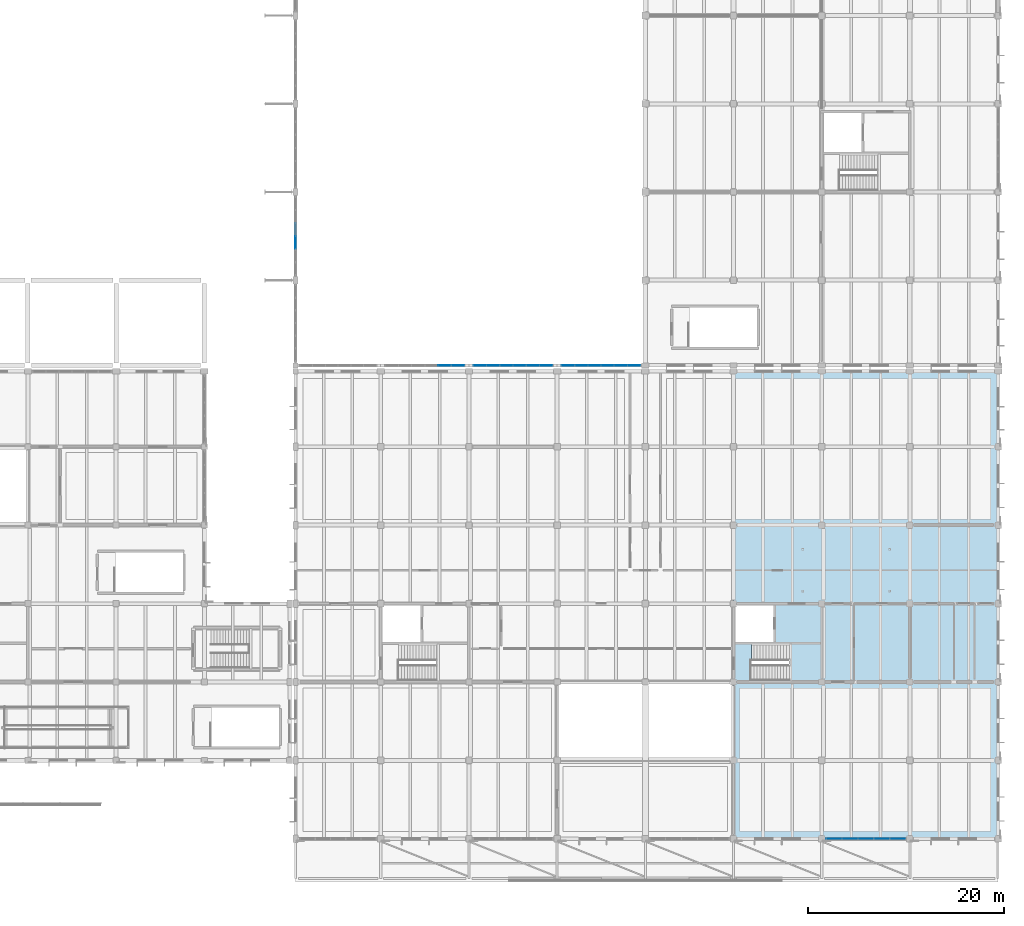
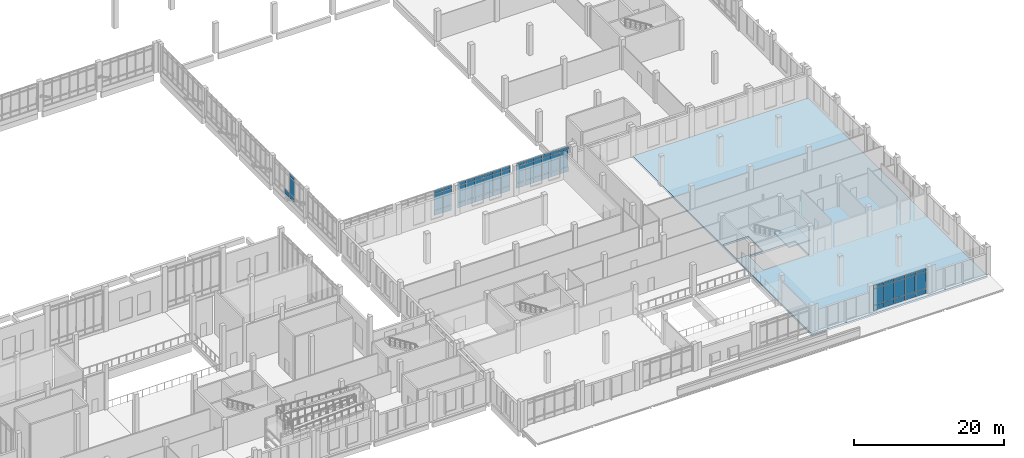
# One storey, part 64 of 110: 61 plates, 2 slabs, 6 elements without a shape of their own.
"""IFC4 building model written with IfcOpenShell, lengths in metres."""

from ifc_helpers import new_model, si_unit, direction, frame, origin, origin_2d, place, context, subcontext, project, spatial, polyline, rectangle, outline, extrude, material, layer, layer_set, type_object, element, aggregate, save


model = new_model("IFC4")

# Units and contexts
model_context = context("Model", 3, precision=1e-05, world=origin(), true_north=direction((0.0, 1.0)))
body_context = subcontext(model_context, "Body", "Model", "MODEL_VIEW")
ifc_project = project(units=[si_unit("LENGTHUNIT", "METRE"), si_unit("AREAUNIT", "SQUARE_METRE"), si_unit("VOLUMEUNIT", "CUBIC_METRE"), si_unit("PLANEANGLEUNIT", "RADIAN"), si_unit("MASSUNIT", "GRAM", prefix="KILO")], contexts=[model_context])

# Site, building, storey
site_placement = place(None, origin())
site = spatial("IfcSite", under=ifc_project, at=site_placement, CompositionType="ELEMENT")
building_placement = place(site_placement, origin())
building = spatial("IfcBuilding", under=site, at=building_placement, Name="Zacnel Wholesale Market", CompositionType="ELEMENT")
storey_placement = place(building_placement, frame((0.0, 0.0, 6.300048828125)))
storey = spatial("IfcBuildingStorey", under=building, at=storey_placement, Name="L02", CompositionType="ELEMENT", Elevation=6.300048828125)

# Curtain wall, plates
ifc_material_1 = material(Name="Anodised aluminium", Category="aluminium")
ifc_layer_1 = layer(ifc_material_1, 0.179931640625)
ifc_layer_set_1 = layer_set([ifc_layer_1], Name="Anodised aluminium")
curtain_wall_type_1 = type_object("IfcCurtainWallType", Name="CW-BLVD-5400", PredefinedType="NOTDEFINED", material=ifc_layer_set_1)
curtain_wall_1_placement = place(storey_placement, origin())
curtain_wall_1 = element("IfcCurtainWall", 1, at=curtain_wall_1_placement, inside=storey, type_object=curtain_wall_type_1, Name="Curtain wall ENV-R2-CW-L02-019", PredefinedType="NOTDEFINED")
ifc_material_2 = material(Name="Laminated hurricane-impact low-E insulated glass", Category="glass")
ifc_layer_2 = layer(ifc_material_2, 0.028076171875)
ifc_layer_set_2 = layer_set([ifc_layer_2], Name="Laminated hurricane-impact low-E insulated glass")
plate_type_1 = type_object("IfcPlateType", Name="CWP-PNL-01", PredefinedType="CURTAIN_PANEL", material=ifc_layer_set_2)
plate_1_placement = place(storey_placement, frame((199.260009765625, 0.0, 1.330078125), z_axis=(0.0, 0.0, 1.0), x_axis=(1.0, 0.0, 0.0)))
plate_1 = element("IfcPlate", 2, at=plate_1_placement, type_object=plate_type_1, Name="ENV-R2-CW-L02-019 panel 1-2", PredefinedType="CURTAIN_PANEL", context=body_context, shape_type="SweptSolid", body=[
    extrude(rectangle(XDim=1.550048828125, YDim=0.028076171875, at=origin_2d()), origin(), (0.0, 0.0, 1.0), 2.639892578125),
])
plate_2_placement = place(storey_placement, frame((200.8798828125, 0.0, 1.330078125), z_axis=(0.0, 0.0, 1.0), x_axis=(1.0, 0.0, 0.0)))
plate_2 = element("IfcPlate", 3, at=plate_2_placement, type_object=plate_type_1, Name="ENV-R2-CW-L02-019 panel 2-2", PredefinedType="CURTAIN_PANEL", context=body_context, shape_type="SweptSolid", body=[
    extrude(rectangle(XDim=1.550048828125, YDim=0.028076171875, at=origin_2d()), origin(), (0.0, 0.0, 1.0), 2.639892578125),
])
plate_3_placement = place(storey_placement, frame((202.5, 0.0, 1.330078125), z_axis=(0.0, 0.0, 1.0), x_axis=(1.0, 0.0, 0.0)))
plate_3 = element("IfcPlate", 4, at=plate_3_placement, type_object=plate_type_1, Name="ENV-R2-CW-L02-019 panel 3-2", PredefinedType="CURTAIN_PANEL", context=body_context, shape_type="SweptSolid", body=[
    extrude(rectangle(XDim=1.550048828125, YDim=0.028076171875, at=origin_2d()), origin(), (0.0, 0.0, 1.0), 2.639892578125),
])
plate_4_placement = place(storey_placement, frame((204.1201171875, 0.0, 1.330078125), z_axis=(0.0, 0.0, 1.0), x_axis=(1.0, 0.0, 0.0)))
plate_4 = element("IfcPlate", 5, at=plate_4_placement, type_object=plate_type_1, Name="ENV-R2-CW-L02-019 panel 4-2", PredefinedType="CURTAIN_PANEL", context=body_context, shape_type="SweptSolid", body=[
    extrude(rectangle(XDim=1.550048828125, YDim=0.028076171875, at=origin_2d()), origin(), (0.0, 0.0, 1.0), 2.639892578125),
])
plate_5_placement = place(storey_placement, frame((205.739990234375, 0.0, 1.330078125), z_axis=(0.0, 0.0, 1.0), x_axis=(1.0, 0.0, 0.0)))
plate_5 = element("IfcPlate", 6, at=plate_5_placement, type_object=plate_type_1, Name="ENV-R2-CW-L02-019 panel 5-2", PredefinedType="CURTAIN_PANEL", context=body_context, shape_type="SweptSolid", body=[
    extrude(rectangle(XDim=1.550048828125, YDim=0.028076171875, at=origin_2d()), origin(), (0.0, 0.0, 1.0), 2.639892578125),
])

ifc_material_3 = material(Name="Anodised aluminium", Category="aluminium")
ifc_layer_3 = layer(ifc_material_3, 0.159912109375)
ifc_layer_set_3 = layer_set([ifc_layer_3], Name="Anodised aluminium")
curtain_wall_type_2 = type_object("IfcCurtainWallType", Name="CW-NAVE-4200", PredefinedType="NOTDEFINED", material=ifc_layer_set_3)
curtain_wall_2_placement = place(storey_placement, origin())
curtain_wall_2 = element("IfcCurtainWall", 7, at=curtain_wall_2_placement, inside=storey, type_object=curtain_wall_type_2, Name="Curtain wall ENV-R2-CW-L02-038", PredefinedType="NOTDEFINED")
ifc_material_4 = material(Name="Laminated hurricane-impact low-E insulated glass", Category="glass")
ifc_layer_4 = layer(ifc_material_4, 0.031982421875)
ifc_layer_set_4 = layer_set([ifc_layer_4], Name="Laminated hurricane-impact low-E insulated glass")
plate_type_2 = type_object("IfcPlateType", Name="CWP-PNL-02", PredefinedType="CURTAIN_PANEL", material=ifc_layer_set_4)
plate_6_placement = place(storey_placement, frame((159.52490234375, 48.300048828125, 1.330078125), z_axis=(0.0, 0.0, 1.0), x_axis=(1.0, 0.0, 0.0)))
plate_6 = element("IfcPlate", 8, at=plate_6_placement, type_object=plate_type_2, Name="ENV-R2-CW-L02-038 panel 5-2", PredefinedType="CURTAIN_PANEL", context=body_context, shape_type="SweptSolid", body=[
    extrude(rectangle(XDim=1.280029296875, YDim=0.031982421875, at=origin_2d()), origin(), (0.0, 0.0, 1.0), 2.639892578125),
])
plate_7_placement = place(storey_placement, frame((160.875, 48.300048828125, 1.330078125), z_axis=(0.0, 0.0, 1.0), x_axis=(1.0, 0.0, 0.0)))
plate_7 = element("IfcPlate", 9, at=plate_7_placement, type_object=plate_type_2, Name="ENV-R2-CW-L02-038 panel 6-2", PredefinedType="CURTAIN_PANEL", context=body_context, shape_type="SweptSolid", body=[
    extrude(rectangle(XDim=1.280029296875, YDim=0.031982421875, at=origin_2d()), origin(), (0.0, 0.0, 1.0), 2.639892578125),
])

curtain_wall_3_placement = place(storey_placement, origin())
curtain_wall_3 = element("IfcCurtainWall", 10, at=curtain_wall_3_placement, inside=storey, type_object=curtain_wall_type_2, Name="Curtain wall ENV-R2-CW-L02-039", PredefinedType="NOTDEFINED")
plate_8_placement = place(storey_placement, frame((163.125, 48.300048828125, 1.330078125), z_axis=(0.0, 0.0, 1.0), x_axis=(1.0, 0.0, 0.0)))
plate_8 = element("IfcPlate", 11, at=plate_8_placement, type_object=plate_type_2, Name="ENV-R2-CW-L02-039 panel 1-2", PredefinedType="CURTAIN_PANEL", context=body_context, shape_type="SweptSolid", body=[
    extrude(rectangle(XDim=1.280029296875, YDim=0.031982421875, at=origin_2d()), origin(), (0.0, 0.0, 1.0), 2.639892578125),
])
plate_9_placement = place(storey_placement, frame((164.47509765625, 48.300048828125, 1.330078125), z_axis=(0.0, 0.0, 1.0), x_axis=(1.0, 0.0, 0.0)))
plate_9 = element("IfcPlate", 12, at=plate_9_placement, type_object=plate_type_2, Name="ENV-R2-CW-L02-039 panel 2-2", PredefinedType="CURTAIN_PANEL", context=body_context, shape_type="SweptSolid", body=[
    extrude(rectangle(XDim=1.280029296875, YDim=0.031982421875, at=origin_2d()), origin(), (0.0, 0.0, 1.0), 2.639892578125),
])
plate_10_placement = place(storey_placement, frame((165.824951171875, 48.300048828125, 1.330078125), z_axis=(0.0, 0.0, 1.0), x_axis=(1.0, 0.0, 0.0)))
plate_10 = element("IfcPlate", 13, at=plate_10_placement, type_object=plate_type_2, Name="ENV-R2-CW-L02-039 panel 3-2", PredefinedType="CURTAIN_PANEL", context=body_context, shape_type="SweptSolid", body=[
    extrude(rectangle(XDim=1.280029296875, YDim=0.031982421875, at=origin_2d()), origin(), (0.0, 0.0, 1.0), 2.639892578125),
])
plate_11_placement = place(storey_placement, frame((167.175048828125, 48.300048828125, 1.330078125), z_axis=(0.0, 0.0, 1.0), x_axis=(1.0, 0.0, 0.0)))
plate_11 = element("IfcPlate", 14, at=plate_11_placement, type_object=plate_type_2, Name="ENV-R2-CW-L02-039 panel 4-2", PredefinedType="CURTAIN_PANEL", context=body_context, shape_type="SweptSolid", body=[
    extrude(rectangle(XDim=1.280029296875, YDim=0.031982421875, at=origin_2d()), origin(), (0.0, 0.0, 1.0), 2.639892578125),
])
plate_12_placement = place(storey_placement, frame((168.52490234375, 48.300048828125, 1.330078125), z_axis=(0.0, 0.0, 1.0), x_axis=(1.0, 0.0, 0.0)))
plate_12 = element("IfcPlate", 15, at=plate_12_placement, type_object=plate_type_2, Name="ENV-R2-CW-L02-039 panel 5-2", PredefinedType="CURTAIN_PANEL", context=body_context, shape_type="SweptSolid", body=[
    extrude(rectangle(XDim=1.280029296875, YDim=0.031982421875, at=origin_2d()), origin(), (0.0, 0.0, 1.0), 2.639892578125),
])
plate_13_placement = place(storey_placement, frame((169.875, 48.300048828125, 1.330078125), z_axis=(0.0, 0.0, 1.0), x_axis=(1.0, 0.0, 0.0)))
plate_13 = element("IfcPlate", 16, at=plate_13_placement, type_object=plate_type_2, Name="ENV-R2-CW-L02-039 panel 6-2", PredefinedType="CURTAIN_PANEL", context=body_context, shape_type="SweptSolid", body=[
    extrude(rectangle(XDim=1.280029296875, YDim=0.031982421875, at=origin_2d()), origin(), (0.0, 0.0, 1.0), 2.639892578125),
])

curtain_wall_4_placement = place(storey_placement, origin())
curtain_wall_4 = element("IfcCurtainWall", 17, at=curtain_wall_4_placement, inside=storey, type_object=curtain_wall_type_2, Name="Curtain wall ENV-R2-CW-L02-040", PredefinedType="NOTDEFINED")
plate_14_placement = place(storey_placement, frame((172.121337890625, 48.300048828125, 1.330078125), z_axis=(0.0, 0.0, 1.0), x_axis=(1.0, 0.0, 0.0)))
plate_14 = element("IfcPlate", 18, at=plate_14_placement, type_object=plate_type_2, Name="ENV-R2-CW-L02-040 panel 1-2", PredefinedType="CURTAIN_PANEL", context=body_context, shape_type="SweptSolid", body=[
    extrude(rectangle(XDim=1.2724609375, YDim=0.031982421875, at=origin_2d()), origin(), (0.0, 0.0, 1.0), 2.639892578125),
])
plate_15_placement = place(storey_placement, frame((173.4638671875, 48.300048828125, 1.330078125), z_axis=(0.0, 0.0, 1.0), x_axis=(1.0, 0.0, 0.0)))
plate_15 = element("IfcPlate", 19, at=plate_15_placement, type_object=plate_type_2, Name="ENV-R2-CW-L02-040 panel 2-2", PredefinedType="CURTAIN_PANEL", context=body_context, shape_type="SweptSolid", body=[
    extrude(rectangle(XDim=1.2724609375, YDim=0.031982421875, at=origin_2d()), origin(), (0.0, 0.0, 1.0), 2.639892578125),
])
plate_16_placement = place(storey_placement, frame((174.80615234375, 48.300048828125, 1.330078125), z_axis=(0.0, 0.0, 1.0), x_axis=(1.0, 0.0, 0.0)))
plate_16 = element("IfcPlate", 20, at=plate_16_placement, type_object=plate_type_2, Name="ENV-R2-CW-L02-040 panel 3-2", PredefinedType="CURTAIN_PANEL", context=body_context, shape_type="SweptSolid", body=[
    extrude(rectangle(XDim=1.2724609375, YDim=0.031982421875, at=origin_2d()), origin(), (0.0, 0.0, 1.0), 2.639892578125),
])
plate_17_placement = place(storey_placement, frame((176.148681640625, 48.300048828125, 1.330078125), z_axis=(0.0, 0.0, 1.0), x_axis=(1.0, 0.0, 0.0)))
plate_17 = element("IfcPlate", 21, at=plate_17_placement, type_object=plate_type_2, Name="ENV-R2-CW-L02-040 panel 4-2", PredefinedType="CURTAIN_PANEL", context=body_context, shape_type="SweptSolid", body=[
    extrude(rectangle(XDim=1.2724609375, YDim=0.031982421875, at=origin_2d()), origin(), (0.0, 0.0, 1.0), 2.639892578125),
])
plate_18_placement = place(storey_placement, frame((177.4912109375, 48.300048828125, 1.330078125), z_axis=(0.0, 0.0, 1.0), x_axis=(1.0, 0.0, 0.0)))
plate_18 = element("IfcPlate", 22, at=plate_18_placement, type_object=plate_type_2, Name="ENV-R2-CW-L02-040 panel 5-2", PredefinedType="CURTAIN_PANEL", context=body_context, shape_type="SweptSolid", body=[
    extrude(rectangle(XDim=1.2724609375, YDim=0.031982421875, at=origin_2d()), origin(), (0.0, 0.0, 1.0), 2.639892578125),
])
plate_19_placement = place(storey_placement, frame((178.833740234375, 48.300048828125, 1.330078125), z_axis=(0.0, 0.0, 1.0), x_axis=(1.0, 0.0, 0.0)))
plate_19 = element("IfcPlate", 23, at=plate_19_placement, type_object=plate_type_2, Name="ENV-R2-CW-L02-040 panel 6-2", PredefinedType="CURTAIN_PANEL", context=body_context, shape_type="SweptSolid", body=[
    extrude(rectangle(XDim=1.2724609375, YDim=0.031982421875, at=origin_2d()), origin(), (0.0, 0.0, 1.0), 2.639892578125),
])

# Curtain wall, plate
curtain_wall_5_placement = place(storey_placement, origin())
curtain_wall_5 = element("IfcCurtainWall", 24, at=curtain_wall_5_placement, inside=storey, type_object=curtain_wall_type_2, Name="Curtain wall ENV-R2-CW-L02-042", PredefinedType="NOTDEFINED")
plate_20_placement = place(storey_placement, frame((144.300048828125, 60.83251953125, 1.330078125), z_axis=(0.0, 0.0, 1.0), x_axis=(0.0, 1.0, 0.0)))
plate_20 = element("IfcPlate", 25, at=plate_20_placement, type_object=plate_type_2, Name="ENV-R2-CW-L02-042 panel 3-2", PredefinedType="CURTAIN_PANEL", context=body_context, shape_type="SweptSolid", body=[
    extrude(rectangle(XDim=1.264892578125, YDim=0.031982421875, at=origin_2d()), origin(), (0.0, 0.0, 1.0), 2.639892578125),
])

# Plate
ifc_material_5 = material(Name="Anodised aluminium", Category="aluminium")
ifc_layer_5 = layer(ifc_material_5, 0.0400390625)
ifc_layer_set_5 = layer_set([ifc_layer_5], Name="Anodised aluminium")
plate_type_3 = type_object("IfcPlateType", Name="CWP-PNL-05", PredefinedType="CURTAIN_PANEL", material=ifc_layer_set_5)
plate_21_placement = place(storey_placement, frame((199.260009765625, 0.0, 0.47998046875), z_axis=(0.0, 0.0, 1.0), x_axis=(1.0, 0.0, 0.0)))
plate_21 = element("IfcPlate", 26, at=plate_21_placement, type_object=plate_type_3, Name="ENV-R2-CW-L02-019 panel 1-1", PredefinedType="CURTAIN_PANEL", context=body_context, shape_type="SweptSolid", body=[
    extrude(rectangle(XDim=1.550048828125, YDim=0.0400390625, at=origin_2d()), origin(), (0.0, 0.0, 1.0), 0.7900390625),
])

plate_22_placement = place(storey_placement, frame((199.260009765625, 0.0, 4.02978515625), z_axis=(0.0, 0.0, 1.0), x_axis=(1.0, 0.0, 0.0)))
plate_22 = element("IfcPlate", 27, at=plate_22_placement, type_object=plate_type_3, Name="ENV-R2-CW-L02-019 panel 1-3", PredefinedType="CURTAIN_PANEL", context=body_context, shape_type="SweptSolid", body=[
    extrude(rectangle(XDim=1.550048828125, YDim=0.0400390625, at=origin_2d()), origin(), (0.0, 0.0, 1.0), 0.489990234375),
])

plate_23_placement = place(storey_placement, frame((202.5, 0.0, 0.47998046875), z_axis=(0.0, 0.0, 1.0), x_axis=(1.0, 0.0, 0.0)))
plate_23 = element("IfcPlate", 28, at=plate_23_placement, type_object=plate_type_3, Name="ENV-R2-CW-L02-019 panel 3-1", PredefinedType="CURTAIN_PANEL", context=body_context, shape_type="SweptSolid", body=[
    extrude(rectangle(XDim=1.550048828125, YDim=0.0400390625, at=origin_2d()), origin(), (0.0, 0.0, 1.0), 0.7900390625),
])

plate_24_placement = place(storey_placement, frame((202.5, 0.0, 4.02978515625), z_axis=(0.0, 0.0, 1.0), x_axis=(1.0, 0.0, 0.0)))
plate_24 = element("IfcPlate", 29, at=plate_24_placement, type_object=plate_type_3, Name="ENV-R2-CW-L02-019 panel 3-3", PredefinedType="CURTAIN_PANEL", context=body_context, shape_type="SweptSolid", body=[
    extrude(rectangle(XDim=1.550048828125, YDim=0.0400390625, at=origin_2d()), origin(), (0.0, 0.0, 1.0), 0.489990234375),
])

plate_25_placement = place(storey_placement, frame((205.739990234375, 0.0, 0.47998046875), z_axis=(0.0, 0.0, 1.0), x_axis=(1.0, 0.0, 0.0)))
plate_25 = element("IfcPlate", 30, at=plate_25_placement, type_object=plate_type_3, Name="ENV-R2-CW-L02-019 panel 5-1", PredefinedType="CURTAIN_PANEL", context=body_context, shape_type="SweptSolid", body=[
    extrude(rectangle(XDim=1.550048828125, YDim=0.0400390625, at=origin_2d()), origin(), (0.0, 0.0, 1.0), 0.7900390625),
])

plate_26_placement = place(storey_placement, frame((205.739990234375, 0.0, 4.02978515625), z_axis=(0.0, 0.0, 1.0), x_axis=(1.0, 0.0, 0.0)))
plate_26 = element("IfcPlate", 31, at=plate_26_placement, type_object=plate_type_3, Name="ENV-R2-CW-L02-019 panel 5-3", PredefinedType="CURTAIN_PANEL", context=body_context, shape_type="SweptSolid", body=[
    extrude(rectangle(XDim=1.550048828125, YDim=0.0400390625, at=origin_2d()), origin(), (0.0, 0.0, 1.0), 0.489990234375),
])

plate_27_placement = place(storey_placement, frame((159.52490234375, 48.300048828125, 0.47998046875), z_axis=(0.0, 0.0, 1.0), x_axis=(1.0, 0.0, 0.0)))
plate_27 = element("IfcPlate", 32, at=plate_27_placement, type_object=plate_type_3, Name="ENV-R2-CW-L02-038 panel 5-1", PredefinedType="CURTAIN_PANEL", context=body_context, shape_type="SweptSolid", body=[
    extrude(rectangle(XDim=1.280029296875, YDim=0.0400390625, at=origin_2d()), origin(), (0.0, 0.0, 1.0), 0.7900390625),
])

plate_28_placement = place(storey_placement, frame((159.52490234375, 48.300048828125, 4.02978515625), z_axis=(0.0, 0.0, 1.0), x_axis=(1.0, 0.0, 0.0)))
plate_28 = element("IfcPlate", 33, at=plate_28_placement, type_object=plate_type_3, Name="ENV-R2-CW-L02-038 panel 5-3", PredefinedType="CURTAIN_PANEL", context=body_context, shape_type="SweptSolid", body=[
    extrude(rectangle(XDim=1.280029296875, YDim=0.0400390625, at=origin_2d()), origin(), (0.0, 0.0, 1.0), 0.489990234375),
])

plate_29_placement = place(storey_placement, frame((163.125, 48.300048828125, 0.47998046875), z_axis=(0.0, 0.0, 1.0), x_axis=(1.0, 0.0, 0.0)))
plate_29 = element("IfcPlate", 34, at=plate_29_placement, type_object=plate_type_3, Name="ENV-R2-CW-L02-039 panel 1-1", PredefinedType="CURTAIN_PANEL", context=body_context, shape_type="SweptSolid", body=[
    extrude(rectangle(XDim=1.280029296875, YDim=0.0400390625, at=origin_2d()), origin(), (0.0, 0.0, 1.0), 0.7900390625),
])

plate_30_placement = place(storey_placement, frame((163.125, 48.300048828125, 4.02978515625), z_axis=(0.0, 0.0, 1.0), x_axis=(1.0, 0.0, 0.0)))
plate_30 = element("IfcPlate", 35, at=plate_30_placement, type_object=plate_type_3, Name="ENV-R2-CW-L02-039 panel 1-3", PredefinedType="CURTAIN_PANEL", context=body_context, shape_type="SweptSolid", body=[
    extrude(rectangle(XDim=1.280029296875, YDim=0.0400390625, at=origin_2d()), origin(), (0.0, 0.0, 1.0), 0.489990234375),
])

plate_31_placement = place(storey_placement, frame((165.824951171875, 48.300048828125, 0.47998046875), z_axis=(0.0, 0.0, 1.0), x_axis=(1.0, 0.0, 0.0)))
plate_31 = element("IfcPlate", 36, at=plate_31_placement, type_object=plate_type_3, Name="ENV-R2-CW-L02-039 panel 3-1", PredefinedType="CURTAIN_PANEL", context=body_context, shape_type="SweptSolid", body=[
    extrude(rectangle(XDim=1.280029296875, YDim=0.0400390625, at=origin_2d()), origin(), (0.0, 0.0, 1.0), 0.7900390625),
])

plate_32_placement = place(storey_placement, frame((165.824951171875, 48.300048828125, 4.02978515625), z_axis=(0.0, 0.0, 1.0), x_axis=(1.0, 0.0, 0.0)))
plate_32 = element("IfcPlate", 37, at=plate_32_placement, type_object=plate_type_3, Name="ENV-R2-CW-L02-039 panel 3-3", PredefinedType="CURTAIN_PANEL", context=body_context, shape_type="SweptSolid", body=[
    extrude(rectangle(XDim=1.280029296875, YDim=0.0400390625, at=origin_2d()), origin(), (0.0, 0.0, 1.0), 0.489990234375),
])

plate_33_placement = place(storey_placement, frame((168.52490234375, 48.300048828125, 0.47998046875), z_axis=(0.0, 0.0, 1.0), x_axis=(1.0, 0.0, 0.0)))
plate_33 = element("IfcPlate", 38, at=plate_33_placement, type_object=plate_type_3, Name="ENV-R2-CW-L02-039 panel 5-1", PredefinedType="CURTAIN_PANEL", context=body_context, shape_type="SweptSolid", body=[
    extrude(rectangle(XDim=1.280029296875, YDim=0.0400390625, at=origin_2d()), origin(), (0.0, 0.0, 1.0), 0.7900390625),
])

plate_34_placement = place(storey_placement, frame((168.52490234375, 48.300048828125, 4.02978515625), z_axis=(0.0, 0.0, 1.0), x_axis=(1.0, 0.0, 0.0)))
plate_34 = element("IfcPlate", 39, at=plate_34_placement, type_object=plate_type_3, Name="ENV-R2-CW-L02-039 panel 5-3", PredefinedType="CURTAIN_PANEL", context=body_context, shape_type="SweptSolid", body=[
    extrude(rectangle(XDim=1.280029296875, YDim=0.0400390625, at=origin_2d()), origin(), (0.0, 0.0, 1.0), 0.489990234375),
])

plate_35_placement = place(storey_placement, frame((172.121337890625, 48.300048828125, 0.47998046875), z_axis=(0.0, 0.0, 1.0), x_axis=(1.0, 0.0, 0.0)))
plate_35 = element("IfcPlate", 40, at=plate_35_placement, type_object=plate_type_3, Name="ENV-R2-CW-L02-040 panel 1-1", PredefinedType="CURTAIN_PANEL", context=body_context, shape_type="SweptSolid", body=[
    extrude(rectangle(XDim=1.2724609375, YDim=0.0400390625, at=origin_2d()), origin(), (0.0, 0.0, 1.0), 0.7900390625),
])

plate_36_placement = place(storey_placement, frame((172.121337890625, 48.300048828125, 4.02978515625), z_axis=(0.0, 0.0, 1.0), x_axis=(1.0, 0.0, 0.0)))
plate_36 = element("IfcPlate", 41, at=plate_36_placement, type_object=plate_type_3, Name="ENV-R2-CW-L02-040 panel 1-3", PredefinedType="CURTAIN_PANEL", context=body_context, shape_type="SweptSolid", body=[
    extrude(rectangle(XDim=1.2724609375, YDim=0.0400390625, at=origin_2d()), origin(), (0.0, 0.0, 1.0), 0.489990234375),
])

plate_37_placement = place(storey_placement, frame((174.80615234375, 48.300048828125, 0.47998046875), z_axis=(0.0, 0.0, 1.0), x_axis=(1.0, 0.0, 0.0)))
plate_37 = element("IfcPlate", 42, at=plate_37_placement, type_object=plate_type_3, Name="ENV-R2-CW-L02-040 panel 3-1", PredefinedType="CURTAIN_PANEL", context=body_context, shape_type="SweptSolid", body=[
    extrude(rectangle(XDim=1.2724609375, YDim=0.0400390625, at=origin_2d()), origin(), (0.0, 0.0, 1.0), 0.7900390625),
])

plate_38_placement = place(storey_placement, frame((174.80615234375, 48.300048828125, 4.02978515625), z_axis=(0.0, 0.0, 1.0), x_axis=(1.0, 0.0, 0.0)))
plate_38 = element("IfcPlate", 43, at=plate_38_placement, type_object=plate_type_3, Name="ENV-R2-CW-L02-040 panel 3-3", PredefinedType="CURTAIN_PANEL", context=body_context, shape_type="SweptSolid", body=[
    extrude(rectangle(XDim=1.2724609375, YDim=0.0400390625, at=origin_2d()), origin(), (0.0, 0.0, 1.0), 0.489990234375),
])

plate_39_placement = place(storey_placement, frame((177.4912109375, 48.300048828125, 0.47998046875), z_axis=(0.0, 0.0, 1.0), x_axis=(1.0, 0.0, 0.0)))
plate_39 = element("IfcPlate", 44, at=plate_39_placement, type_object=plate_type_3, Name="ENV-R2-CW-L02-040 panel 5-1", PredefinedType="CURTAIN_PANEL", context=body_context, shape_type="SweptSolid", body=[
    extrude(rectangle(XDim=1.2724609375, YDim=0.0400390625, at=origin_2d()), origin(), (0.0, 0.0, 1.0), 0.7900390625),
])

plate_40_placement = place(storey_placement, frame((177.4912109375, 48.300048828125, 4.02978515625), z_axis=(0.0, 0.0, 1.0), x_axis=(1.0, 0.0, 0.0)))
plate_40 = element("IfcPlate", 45, at=plate_40_placement, type_object=plate_type_3, Name="ENV-R2-CW-L02-040 panel 5-3", PredefinedType="CURTAIN_PANEL", context=body_context, shape_type="SweptSolid", body=[
    extrude(rectangle(XDim=1.2724609375, YDim=0.0400390625, at=origin_2d()), origin(), (0.0, 0.0, 1.0), 0.489990234375),
])

plate_41_placement = place(storey_placement, frame((144.300048828125, 60.83251953125, 0.47998046875), z_axis=(0.0, 0.0, 1.0), x_axis=(0.0, 1.0, 0.0)))
plate_41 = element("IfcPlate", 46, at=plate_41_placement, type_object=plate_type_3, Name="ENV-R2-CW-L02-042 panel 3-1", PredefinedType="CURTAIN_PANEL", context=body_context, shape_type="SweptSolid", body=[
    extrude(rectangle(XDim=1.264892578125, YDim=0.0400390625, at=origin_2d()), origin(), (0.0, 0.0, 1.0), 0.7900390625),
])

plate_42_placement = place(storey_placement, frame((144.300048828125, 60.83251953125, 4.02978515625), z_axis=(0.0, 0.0, 1.0), x_axis=(0.0, 1.0, 0.0)))
plate_42 = element("IfcPlate", 47, at=plate_42_placement, type_object=plate_type_3, Name="ENV-R2-CW-L02-042 panel 3-3", PredefinedType="CURTAIN_PANEL", context=body_context, shape_type="SweptSolid", body=[
    extrude(rectangle(XDim=1.264892578125, YDim=0.0400390625, at=origin_2d()), origin(), (0.0, 0.0, 1.0), 0.489990234375),
])

ifc_material_6 = material(Name="Honed Yucatan Maya cream limestone", Category="masonry")
ifc_layer_6 = layer(ifc_material_6, 0.044921875)
ifc_layer_set_6 = layer_set([ifc_layer_6], Name="Honed Yucatan Maya cream limestone")
plate_type_4 = type_object("IfcPlateType", Name="CWP-PNL-06", PredefinedType="CURTAIN_PANEL", material=ifc_layer_set_6)
plate_43_placement = place(storey_placement, frame((200.8798828125, 0.0, 0.47998046875), z_axis=(0.0, 0.0, 1.0), x_axis=(1.0, 0.0, 0.0)))
plate_43 = element("IfcPlate", 48, at=plate_43_placement, type_object=plate_type_4, Name="ENV-R2-CW-L02-019 panel 2-1", PredefinedType="CURTAIN_PANEL", context=body_context, shape_type="SweptSolid", body=[
    extrude(rectangle(XDim=1.550048828125, YDim=0.044921875, at=origin_2d()), origin(), (0.0, 0.0, 1.0), 0.7900390625),
])

plate_44_placement = place(storey_placement, frame((200.8798828125, 0.0, 4.02978515625), z_axis=(0.0, 0.0, 1.0), x_axis=(1.0, 0.0, 0.0)))
plate_44 = element("IfcPlate", 49, at=plate_44_placement, type_object=plate_type_4, Name="ENV-R2-CW-L02-019 panel 2-3", PredefinedType="CURTAIN_PANEL", context=body_context, shape_type="SweptSolid", body=[
    extrude(rectangle(XDim=1.550048828125, YDim=0.044921875, at=origin_2d()), origin(), (0.0, 0.0, 1.0), 0.489990234375),
])

plate_45_placement = place(storey_placement, frame((204.1201171875, 0.0, 0.47998046875), z_axis=(0.0, 0.0, 1.0), x_axis=(1.0, 0.0, 0.0)))
plate_45 = element("IfcPlate", 50, at=plate_45_placement, type_object=plate_type_4, Name="ENV-R2-CW-L02-019 panel 4-1", PredefinedType="CURTAIN_PANEL", context=body_context, shape_type="SweptSolid", body=[
    extrude(rectangle(XDim=1.550048828125, YDim=0.044921875, at=origin_2d()), origin(), (0.0, 0.0, 1.0), 0.7900390625),
])

plate_46_placement = place(storey_placement, frame((204.1201171875, 0.0, 4.02978515625), z_axis=(0.0, 0.0, 1.0), x_axis=(1.0, 0.0, 0.0)))
plate_46 = element("IfcPlate", 51, at=plate_46_placement, type_object=plate_type_4, Name="ENV-R2-CW-L02-019 panel 4-3", PredefinedType="CURTAIN_PANEL", context=body_context, shape_type="SweptSolid", body=[
    extrude(rectangle(XDim=1.550048828125, YDim=0.044921875, at=origin_2d()), origin(), (0.0, 0.0, 1.0), 0.489990234375),
])

aggregate(curtain_wall_1, [plate_21, plate_1, plate_22, plate_43, plate_2, plate_44, plate_23, plate_3, plate_24, plate_45, plate_4, plate_46, plate_25, plate_5, plate_26])

plate_47_placement = place(storey_placement, frame((160.875, 48.300048828125, 0.47998046875), z_axis=(0.0, 0.0, 1.0), x_axis=(1.0, 0.0, 0.0)))
plate_47 = element("IfcPlate", 52, at=plate_47_placement, type_object=plate_type_4, Name="ENV-R2-CW-L02-038 panel 6-1", PredefinedType="CURTAIN_PANEL", context=body_context, shape_type="SweptSolid", body=[
    extrude(rectangle(XDim=1.280029296875, YDim=0.044921875, at=origin_2d()), origin(), (0.0, 0.0, 1.0), 0.7900390625),
])

plate_48_placement = place(storey_placement, frame((160.875, 48.300048828125, 4.02978515625), z_axis=(0.0, 0.0, 1.0), x_axis=(1.0, 0.0, 0.0)))
plate_48 = element("IfcPlate", 53, at=plate_48_placement, type_object=plate_type_4, Name="ENV-R2-CW-L02-038 panel 6-3", PredefinedType="CURTAIN_PANEL", context=body_context, shape_type="SweptSolid", body=[
    extrude(rectangle(XDim=1.280029296875, YDim=0.044921875, at=origin_2d()), origin(), (0.0, 0.0, 1.0), 0.489990234375),
])

aggregate(curtain_wall_2, [plate_27, plate_6, plate_28, plate_47, plate_7, plate_48])

plate_49_placement = place(storey_placement, frame((164.47509765625, 48.300048828125, 0.47998046875), z_axis=(0.0, 0.0, 1.0), x_axis=(1.0, 0.0, 0.0)))
plate_49 = element("IfcPlate", 54, at=plate_49_placement, type_object=plate_type_4, Name="ENV-R2-CW-L02-039 panel 2-1", PredefinedType="CURTAIN_PANEL", context=body_context, shape_type="SweptSolid", body=[
    extrude(rectangle(XDim=1.280029296875, YDim=0.044921875, at=origin_2d()), origin(), (0.0, 0.0, 1.0), 0.7900390625),
])

plate_50_placement = place(storey_placement, frame((164.47509765625, 48.300048828125, 4.02978515625), z_axis=(0.0, 0.0, 1.0), x_axis=(1.0, 0.0, 0.0)))
plate_50 = element("IfcPlate", 55, at=plate_50_placement, type_object=plate_type_4, Name="ENV-R2-CW-L02-039 panel 2-3", PredefinedType="CURTAIN_PANEL", context=body_context, shape_type="SweptSolid", body=[
    extrude(rectangle(XDim=1.280029296875, YDim=0.044921875, at=origin_2d()), origin(), (0.0, 0.0, 1.0), 0.489990234375),
])

plate_51_placement = place(storey_placement, frame((167.175048828125, 48.300048828125, 0.47998046875), z_axis=(0.0, 0.0, 1.0), x_axis=(1.0, 0.0, 0.0)))
plate_51 = element("IfcPlate", 56, at=plate_51_placement, type_object=plate_type_4, Name="ENV-R2-CW-L02-039 panel 4-1", PredefinedType="CURTAIN_PANEL", context=body_context, shape_type="SweptSolid", body=[
    extrude(rectangle(XDim=1.280029296875, YDim=0.044921875, at=origin_2d()), origin(), (0.0, 0.0, 1.0), 0.7900390625),
])

plate_52_placement = place(storey_placement, frame((167.175048828125, 48.300048828125, 4.02978515625), z_axis=(0.0, 0.0, 1.0), x_axis=(1.0, 0.0, 0.0)))
plate_52 = element("IfcPlate", 57, at=plate_52_placement, type_object=plate_type_4, Name="ENV-R2-CW-L02-039 panel 4-3", PredefinedType="CURTAIN_PANEL", context=body_context, shape_type="SweptSolid", body=[
    extrude(rectangle(XDim=1.280029296875, YDim=0.044921875, at=origin_2d()), origin(), (0.0, 0.0, 1.0), 0.489990234375),
])

plate_53_placement = place(storey_placement, frame((169.875, 48.300048828125, 0.47998046875), z_axis=(0.0, 0.0, 1.0), x_axis=(1.0, 0.0, 0.0)))
plate_53 = element("IfcPlate", 58, at=plate_53_placement, type_object=plate_type_4, Name="ENV-R2-CW-L02-039 panel 6-1", PredefinedType="CURTAIN_PANEL", context=body_context, shape_type="SweptSolid", body=[
    extrude(rectangle(XDim=1.280029296875, YDim=0.044921875, at=origin_2d()), origin(), (0.0, 0.0, 1.0), 0.7900390625),
])

plate_54_placement = place(storey_placement, frame((169.875, 48.300048828125, 4.02978515625), z_axis=(0.0, 0.0, 1.0), x_axis=(1.0, 0.0, 0.0)))
plate_54 = element("IfcPlate", 59, at=plate_54_placement, type_object=plate_type_4, Name="ENV-R2-CW-L02-039 panel 6-3", PredefinedType="CURTAIN_PANEL", context=body_context, shape_type="SweptSolid", body=[
    extrude(rectangle(XDim=1.280029296875, YDim=0.044921875, at=origin_2d()), origin(), (0.0, 0.0, 1.0), 0.489990234375),
])

aggregate(curtain_wall_3, [plate_29, plate_8, plate_30, plate_49, plate_9, plate_50, plate_31, plate_10, plate_32, plate_51, plate_11, plate_52, plate_33, plate_12, plate_34, plate_53, plate_13, plate_54])

plate_55_placement = place(storey_placement, frame((173.4638671875, 48.300048828125, 0.47998046875), z_axis=(0.0, 0.0, 1.0), x_axis=(1.0, 0.0, 0.0)))
plate_55 = element("IfcPlate", 60, at=plate_55_placement, type_object=plate_type_4, Name="ENV-R2-CW-L02-040 panel 2-1", PredefinedType="CURTAIN_PANEL", context=body_context, shape_type="SweptSolid", body=[
    extrude(rectangle(XDim=1.2724609375, YDim=0.044921875, at=origin_2d()), origin(), (0.0, 0.0, 1.0), 0.7900390625),
])

plate_56_placement = place(storey_placement, frame((173.4638671875, 48.300048828125, 4.02978515625), z_axis=(0.0, 0.0, 1.0), x_axis=(1.0, 0.0, 0.0)))
plate_56 = element("IfcPlate", 61, at=plate_56_placement, type_object=plate_type_4, Name="ENV-R2-CW-L02-040 panel 2-3", PredefinedType="CURTAIN_PANEL", context=body_context, shape_type="SweptSolid", body=[
    extrude(rectangle(XDim=1.2724609375, YDim=0.044921875, at=origin_2d()), origin(), (0.0, 0.0, 1.0), 0.489990234375),
])

plate_57_placement = place(storey_placement, frame((176.148681640625, 48.300048828125, 0.47998046875), z_axis=(0.0, 0.0, 1.0), x_axis=(1.0, 0.0, 0.0)))
plate_57 = element("IfcPlate", 62, at=plate_57_placement, type_object=plate_type_4, Name="ENV-R2-CW-L02-040 panel 4-1", PredefinedType="CURTAIN_PANEL", context=body_context, shape_type="SweptSolid", body=[
    extrude(rectangle(XDim=1.2724609375, YDim=0.044921875, at=origin_2d()), origin(), (0.0, 0.0, 1.0), 0.7900390625),
])

plate_58_placement = place(storey_placement, frame((176.148681640625, 48.300048828125, 4.02978515625), z_axis=(0.0, 0.0, 1.0), x_axis=(1.0, 0.0, 0.0)))
plate_58 = element("IfcPlate", 63, at=plate_58_placement, type_object=plate_type_4, Name="ENV-R2-CW-L02-040 panel 4-3", PredefinedType="CURTAIN_PANEL", context=body_context, shape_type="SweptSolid", body=[
    extrude(rectangle(XDim=1.2724609375, YDim=0.044921875, at=origin_2d()), origin(), (0.0, 0.0, 1.0), 0.489990234375),
])

plate_59_placement = place(storey_placement, frame((178.833740234375, 48.300048828125, 0.47998046875), z_axis=(0.0, 0.0, 1.0), x_axis=(1.0, 0.0, 0.0)))
plate_59 = element("IfcPlate", 64, at=plate_59_placement, type_object=plate_type_4, Name="ENV-R2-CW-L02-040 panel 6-1", PredefinedType="CURTAIN_PANEL", context=body_context, shape_type="SweptSolid", body=[
    extrude(rectangle(XDim=1.2724609375, YDim=0.044921875, at=origin_2d()), origin(), (0.0, 0.0, 1.0), 0.7900390625),
])

plate_60_placement = place(storey_placement, frame((178.833740234375, 48.300048828125, 4.02978515625), z_axis=(0.0, 0.0, 1.0), x_axis=(1.0, 0.0, 0.0)))
plate_60 = element("IfcPlate", 65, at=plate_60_placement, type_object=plate_type_4, Name="ENV-R2-CW-L02-040 panel 6-3", PredefinedType="CURTAIN_PANEL", context=body_context, shape_type="SweptSolid", body=[
    extrude(rectangle(XDim=1.2724609375, YDim=0.044921875, at=origin_2d()), origin(), (0.0, 0.0, 1.0), 0.489990234375),
])

aggregate(curtain_wall_4, [plate_35, plate_14, plate_36, plate_55, plate_15, plate_56, plate_37, plate_16, plate_38, plate_57, plate_17, plate_58, plate_39, plate_18, plate_40, plate_59, plate_19, plate_60])

plate_61_placement = place(storey_placement, frame((144.300048828125, 62.16748046875, 0.47998046875), z_axis=(0.0, 0.0, 1.0), x_axis=(0.0, 1.0, 0.0)))
plate_61 = element("IfcPlate", 66, at=plate_61_placement, type_object=plate_type_4, Name="ENV-R2-CW-L02-042 panel 4-1", PredefinedType="CURTAIN_PANEL", context=body_context, shape_type="SweptSolid", body=[
    extrude(rectangle(XDim=1.264892578125, YDim=0.044921875, at=origin_2d()), origin(), (0.0, 0.0, 1.0), 0.7900390625),
])

aggregate(curtain_wall_5, [plate_41, plate_20, plate_42, plate_61])

# Slab
ifc_material_7 = material(Name="Precast concrete C45/55", Category="concrete")
ifc_layer_7 = layer(ifc_material_7, 0.300048828125)
ifc_layer_set_7 = layer_set([ifc_layer_7], Name="Precast concrete C45/55")
slab_type_1 = type_object("IfcSlabType", Name="SLB-FLR-300", PredefinedType="FLOOR", material=ifc_layer_set_7)
slab_1_placement = place(storey_placement, frame((0.0, 0.0, -0.300048828125)))
element("IfcSlab", 67, at=slab_1_placement, inside=storey, type_object=slab_type_1, Name="Structural slab SLB-L02-V5-P3", PredefinedType="FLOOR", context=body_context, shape_type="SweptSolid", body=[
    extrude(outline(polyline([(216.0, 0.0), (189.0, 0.0), (189.0, 47.699951171875), (216.0, 47.699951171875), (216.0, 0.0)]), holes=[polyline([(190.85009765625, 16.1298828125), (197.8701171875, 16.1298828125), (197.8701171875, 19.820068359375), (190.85009765625, 19.820068359375), (190.85009765625, 16.1298828125)]), polyline([(189.139892578125, 20.080078125), (193.070068359375, 20.080078125), (193.070068359375, 23.8701171875), (189.139892578125, 23.8701171875), (189.139892578125, 20.080078125)])]), origin(), (0.0, 0.0, 1.0), 0.300048828125),
])

# Stair, slab
ifc_material_8 = material(Name="Precast concrete C45/55", Category="concrete")
stair_type = type_object("IfcStairType", Name="STR-DOGLEG-1550", PredefinedType="HALF_TURN_STAIR", material=ifc_material_8)
stair_placement = place(storey_placement, origin())
stair = element("IfcStair", 68, at=stair_placement, inside=storey, type_object=stair_type, Name="Stair ST-05 (L02)", PredefinedType="HALF_TURN_STAIR")
ifc_material_9 = material(Name="Precast concrete C45/55", Category="concrete")
ifc_layer_8 = layer(ifc_material_9, 0.199951171875)
ifc_layer_set_8 = layer_set([ifc_layer_8], Name="Precast concrete C45/55")
slab_type_2 = type_object("IfcSlabType", Name="SLB-LAND-200", PredefinedType="LANDING", material=ifc_layer_set_8)
slab_2_placement = place(storey_placement, frame((0.0, 0.0, 2.25)))
slab_2 = element("IfcSlab", 69, at=slab_2_placement, type_object=slab_type_2, Name="ST-05 landing 1", PredefinedType="LANDING", context=body_context, shape_type="SweptSolid", body=[
    extrude(outline(polyline([(194.7099609375, 15.989990234375), (198.010009765625, 15.989990234375), (198.010009765625, 19.9599609375), (194.7099609375, 19.9599609375), (194.7099609375, 15.989990234375)])), origin(), (0.0, 0.0, 1.0), 0.199951171875),
])
aggregate(stair, [slab_2])

save(model, "model.ifc")
